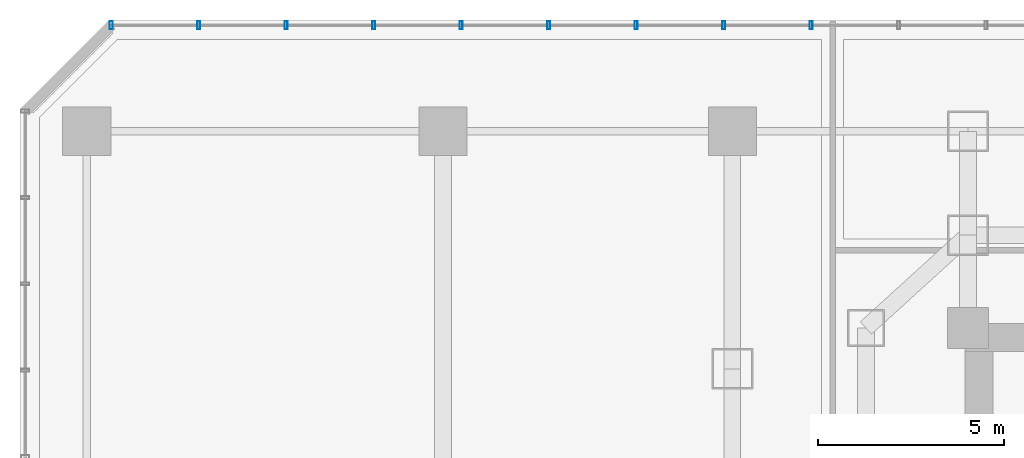
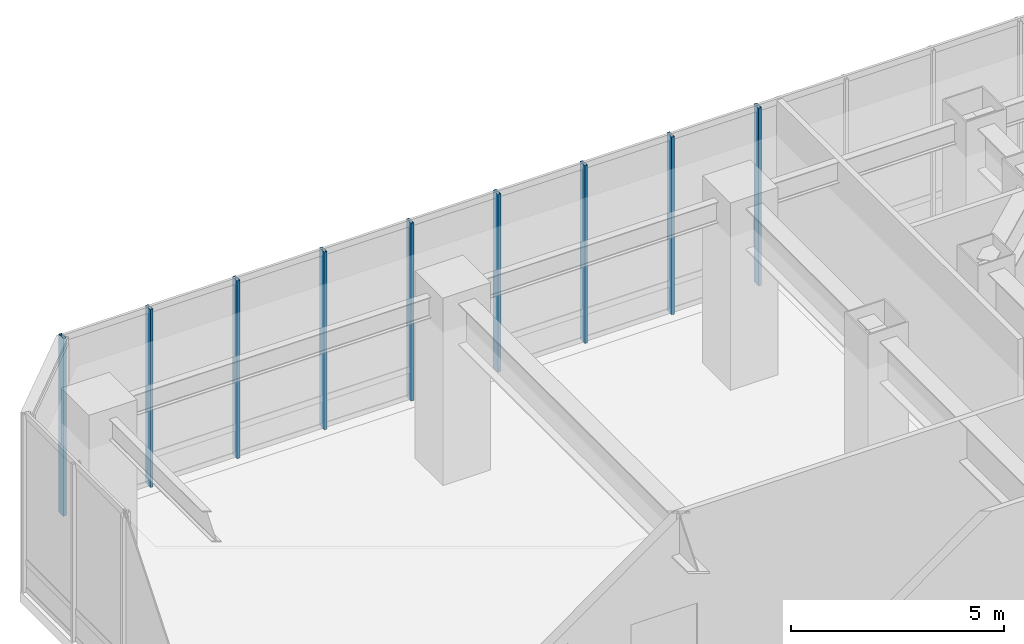
# One storey, part 16 of 35: 9 members, 1 element without a shape of its own.
"""IFC4 building model written with IfcOpenShell, lengths in metres."""

from ifc_helpers import new_model, si_unit, direction, frame, origin, origin_2d, place, context, subcontext, project, spatial, hollow_rectangle, extrude, material, layer, layer_set, material_profile, profile_set, type_object, element, aggregate, save


model = new_model("IFC4")

# Units and contexts
model_context = context("Model", 3, precision=1e-05, world=origin(), true_north=direction((0.0, 1.0)))
body_context = subcontext(model_context, "Body", "Model", "MODEL_VIEW")
ifc_project = project(units=[si_unit("LENGTHUNIT", "METRE"), si_unit("AREAUNIT", "SQUARE_METRE"), si_unit("VOLUMEUNIT", "CUBIC_METRE"), si_unit("PLANEANGLEUNIT", "RADIAN"), si_unit("MASSUNIT", "GRAM", prefix="KILO")], contexts=[model_context])

# Site, building, storey
site_placement = place(None, origin())
site = spatial("IfcSite", under=ifc_project, at=site_placement, CompositionType="ELEMENT")
building_placement = place(site_placement, origin())
building = spatial("IfcBuilding", under=site, at=building_placement, Name="Hatsunagi Terrace Concourse", CompositionType="ELEMENT")
storey_placement = place(building_placement, frame((0.0, 0.0, 5.39990234375)))
storey = spatial("IfcBuildingStorey", under=building, at=storey_placement, Name="L02", CompositionType="ELEMENT", Elevation=5.39990234375)

# Curtain wall, members
ifc_material_1 = material(Name="Anodised Aluminium Alloy 6063-T5", Category="aluminium")
ifc_layer = layer(ifc_material_1, 0.199951171875)
ifc_layer_set = layer_set([ifc_layer], Name="PodiumStorefront_CW01")
curtain_wall_type = type_object("IfcCurtainWallType", Name="PodiumStorefront_CW01", PredefinedType="NOTDEFINED", material=ifc_layer_set)
curtain_wall_placement = place(storey_placement, origin())
curtain_wall = element("IfcCurtainWall", 1, at=curtain_wall_placement, inside=storey, type_object=curtain_wall_type, Name="Unitised Curtain Wall CW-01 CW-L02-12", PredefinedType="NOTDEFINED")
ifc_material_2 = material(Name="Anodised Aluminium Alloy 6063-T5", Category="aluminium")
ifc_material_profile = material_profile(ifc_material_2, hollow_rectangle(XDim=0.080078125, YDim=0.219970703125, WallThickness=0.0048828125, at=origin_2d()), Name="ALU-MUL-220x80x5")
ifc_profile_set = profile_set([ifc_material_profile], Name="Anodised Aluminium Alloy 6063-T5")
member_type = type_object("IfcMemberType", Name="CurtainWallMullion_Heavy_220x80", PredefinedType="MULLION", material=ifc_profile_set)
member_1_placement = place(storey_placement, frame((2.4580078125, 51.4599609375, 0.0), z_axis=(0.0, 0.0, 1.0), x_axis=(1.0, 0.0, 0.0)))
member_1 = element("IfcMember", 2, at=member_1_placement, type_object=member_type, Name="Curtain Wall Mullion MUL-01", PredefinedType="MULLION", context=body_context, shape_type="SweptSolid", body=[
    extrude(hollow_rectangle(XDim=0.080078125, YDim=0.219970703125, WallThickness=0.0048828125, at=origin_2d()), origin(), (0.0, 0.0, 1.0), 5.10009765625),
])
member_2_placement = place(storey_placement, frame((4.81591796875, 51.4599609375, 0.0), z_axis=(0.0, 0.0, 1.0), x_axis=(1.0, 0.0, 0.0)))
member_2 = element("IfcMember", 3, at=member_2_placement, type_object=member_type, Name="Curtain Wall Mullion MUL-01", PredefinedType="MULLION", context=body_context, shape_type="SweptSolid", body=[
    extrude(hollow_rectangle(XDim=0.080078125, YDim=0.219970703125, WallThickness=0.0048828125, at=origin_2d()), origin(), (0.0, 0.0, 1.0), 5.10009765625),
])
member_3_placement = place(storey_placement, frame((7.174072265625, 51.4599609375, 0.0), z_axis=(0.0, 0.0, 1.0), x_axis=(1.0, 0.0, 0.0)))
member_3 = element("IfcMember", 4, at=member_3_placement, type_object=member_type, Name="Curtain Wall Mullion MUL-01", PredefinedType="MULLION", context=body_context, shape_type="SweptSolid", body=[
    extrude(hollow_rectangle(XDim=0.080078125, YDim=0.219970703125, WallThickness=0.0048828125, at=origin_2d()), origin(), (0.0, 0.0, 1.0), 5.10009765625),
])
member_4_placement = place(storey_placement, frame((9.531982421875, 51.4599609375, 0.0), z_axis=(0.0, 0.0, 1.0), x_axis=(1.0, 0.0, 0.0)))
member_4 = element("IfcMember", 5, at=member_4_placement, type_object=member_type, Name="Curtain Wall Mullion MUL-01", PredefinedType="MULLION", context=body_context, shape_type="SweptSolid", body=[
    extrude(hollow_rectangle(XDim=0.080078125, YDim=0.219970703125, WallThickness=0.0048828125, at=origin_2d()), origin(), (0.0, 0.0, 1.0), 5.10009765625),
])
member_5_placement = place(storey_placement, frame((11.889892578125, 51.4599609375, 0.0), z_axis=(0.0, 0.0, 1.0), x_axis=(1.0, 0.0, 0.0)))
member_5 = element("IfcMember", 6, at=member_5_placement, type_object=member_type, Name="Curtain Wall Mullion MUL-01", PredefinedType="MULLION", context=body_context, shape_type="SweptSolid", body=[
    extrude(hollow_rectangle(XDim=0.080078125, YDim=0.219970703125, WallThickness=0.0048828125, at=origin_2d()), origin(), (0.0, 0.0, 1.0), 5.10009765625),
])
member_6_placement = place(storey_placement, frame((14.2470703125, 51.4599609375, 0.0), z_axis=(0.0, 0.0, 1.0), x_axis=(1.0, 0.0, 0.0)))
member_6 = element("IfcMember", 7, at=member_6_placement, type_object=member_type, Name="Curtain Wall Mullion MUL-01", PredefinedType="MULLION", context=body_context, shape_type="SweptSolid", body=[
    extrude(hollow_rectangle(XDim=0.080078125, YDim=0.219970703125, WallThickness=0.0048828125, at=origin_2d()), origin(), (0.0, 0.0, 1.0), 5.10009765625),
])
member_7_placement = place(storey_placement, frame((16.60498046875, 51.4599609375, 0.0), z_axis=(0.0, 0.0, 1.0), x_axis=(1.0, 0.0, 0.0)))
member_7 = element("IfcMember", 8, at=member_7_placement, type_object=member_type, Name="Curtain Wall Mullion MUL-01", PredefinedType="MULLION", context=body_context, shape_type="SweptSolid", body=[
    extrude(hollow_rectangle(XDim=0.080078125, YDim=0.219970703125, WallThickness=0.0048828125, at=origin_2d()), origin(), (0.0, 0.0, 1.0), 5.10009765625),
])
member_8_placement = place(storey_placement, frame((18.962890625, 51.4599609375, 0.0), z_axis=(0.0, 0.0, 1.0), x_axis=(1.0, 0.0, 0.0)))
member_8 = element("IfcMember", 9, at=member_8_placement, type_object=member_type, Name="Curtain Wall Mullion MUL-01", PredefinedType="MULLION", context=body_context, shape_type="SweptSolid", body=[
    extrude(hollow_rectangle(XDim=0.080078125, YDim=0.219970703125, WallThickness=0.0048828125, at=origin_2d()), origin(), (0.0, 0.0, 1.0), 5.10009765625),
])
member_9_placement = place(storey_placement, frame((21.321044921875, 51.4599609375, 0.0), z_axis=(0.0, 0.0, 1.0), x_axis=(1.0, 0.0, 0.0)))
member_9 = element("IfcMember", 10, at=member_9_placement, type_object=member_type, Name="Curtain Wall Mullion MUL-01", PredefinedType="MULLION", context=body_context, shape_type="SweptSolid", body=[
    extrude(hollow_rectangle(XDim=0.080078125, YDim=0.219970703125, WallThickness=0.0048828125, at=origin_2d()), origin(), (0.0, 0.0, 1.0), 5.10009765625),
])
aggregate(curtain_wall, [member_1, member_2, member_3, member_4, member_5, member_6, member_7, member_8, member_9])

save(model, "model.ifc")
